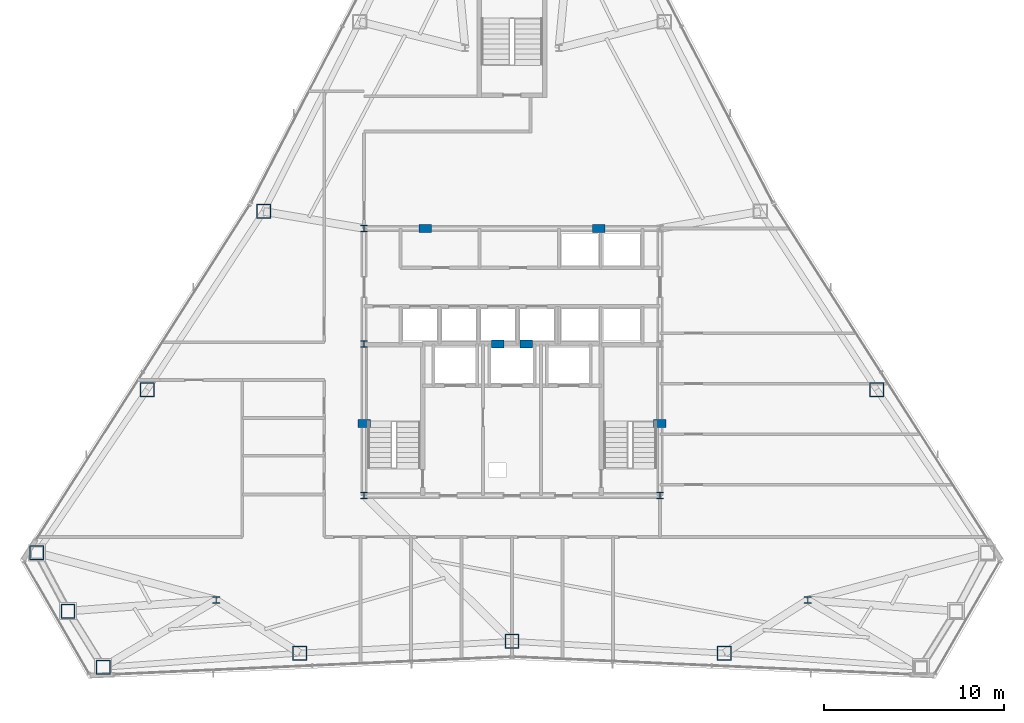
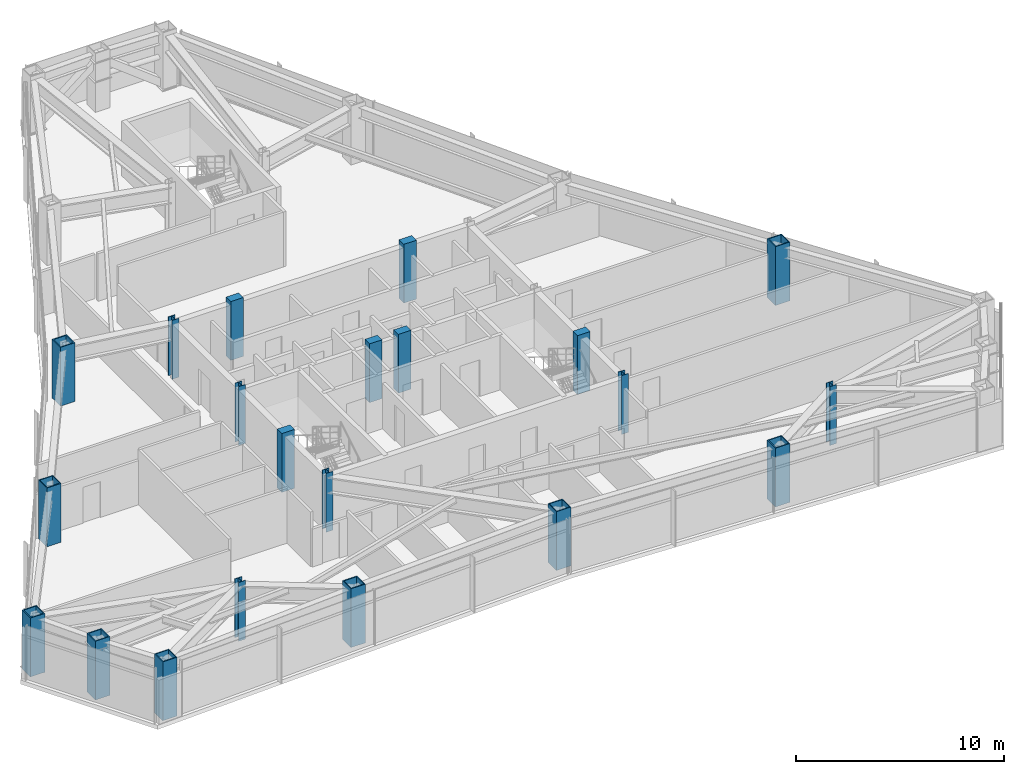
# One storey, part 1 of 13: 21 columns.
"""IFC4 building model written with IfcOpenShell, lengths in metres."""

from ifc_helpers import new_model, si_unit, direction, frame, origin, origin_2d, place, context, subcontext, project, spatial, rectangle, hollow_rectangle, i_section, extrude, material, material_profile, profile_set, type_object, element, save


model = new_model("IFC4")

# Units and contexts
model_context = context("Model", 3, precision=1e-05, world=origin(), true_north=direction((0.0, 1.0)))
body_context = subcontext(model_context, "Body", "Model", "MODEL_VIEW")
ifc_project = project(units=[si_unit("LENGTHUNIT", "METRE"), si_unit("AREAUNIT", "SQUARE_METRE"), si_unit("VOLUMEUNIT", "CUBIC_METRE"), si_unit("PLANEANGLEUNIT", "RADIAN"), si_unit("MASSUNIT", "GRAM", prefix="KILO")], contexts=[model_context])

# Site, building, storey
site_placement = place(None, origin())
site = spatial("IfcSite", under=ifc_project, at=site_placement, CompositionType="ELEMENT")
building_placement = place(site_placement, origin())
building = spatial("IfcBuilding", under=site, at=building_placement, Name="Varakhsha Concourse Tower", CompositionType="ELEMENT")
storey_placement = place(building_placement, frame((0.0, 0.0, 189.60009765625)))
storey = spatial("IfcBuildingStorey", under=building, at=storey_placement, Name="L54", CompositionType="ELEMENT", Elevation=189.60009765625)

# Columns
ifc_material_1 = material(Name="Structural Steel ASTM A992 Grade 50", Category="steel")
ifc_material_profile_1 = material_profile(ifc_material_1, i_section(OverallWidth=0.3740234375, OverallDepth=0.3720703125, WebThickness=0.01611328125, FlangeThickness=0.02587890625, at=origin_2d()), Name="W14X132")
ifc_profile_set_1 = profile_set([ifc_material_profile_1], Name="Structural Steel ASTM A992 Grade 50")
column_type_1 = type_object("IfcColumnType", Name="CL-CORE-W14X132", PredefinedType="COLUMN", material=ifc_profile_set_1)
for number, where, z_axis, x_axis, name in (
    (1, (31.800048828125, 16.39990234375, 0.0), (0.0, 0.0, 1.0), (1.0, 0.0, 0.0), "L54 Core Column CC-SW"),
    (2, (48.199951171875, 16.39990234375, 0.0), (0.0, 0.0, 1.0), (1.0, 0.0, 0.0), "L54 Core Column CC-SE"),
    (3, (31.800048828125, 24.800048828125, 0.0), (0.0, 0.0, 1.0), (1.0, 0.0, 0.0), "L54 Core Column CC-MW"),
    (4, (31.800048828125, 31.199951171875, 0.0), (0.0, 0.0, 1.0), (1.0, 0.0, 0.0), "L54 Core Column CC-NW"),
    (5, (23.60009765625, 10.60009765625, 0.0), (0.0, 0.0, 1.0), (1.0, 0.0, 0.0), "L54 Core Column SS-W"),
    (6, (56.39990234375, 10.60009765625, 0.0), (0.0, 0.0, 1.0), (1.0, 0.0, 0.0), "L54 Core Column SS-E"),
):
    element("IfcColumn", number, at=place(storey_placement, frame(where, z_axis=z_axis, x_axis=x_axis)), inside=storey, type_object=column_type_1, Name=name, PredefinedType="COLUMN", context=body_context, shape_type="SweptSolid", body=[
        extrude(i_section(OverallWidth=0.3740234375, OverallDepth=0.3720703125, WebThickness=0.01611328125, FlangeThickness=0.02587890625, at=origin_2d()), origin(), (0.0, 0.0, 1.0), 3.449951171875),
    ])
ifc_material_2 = material(Name="Concrete fc 65 MPa", Category="concrete")
ifc_material_profile_2 = material_profile(ifc_material_2, rectangle(XDim=0.699951171875, YDim=0.449951171875, at=origin_2d()), Name="RC 700x450")
ifc_profile_set_2 = profile_set([ifc_material_profile_2], Name="Concrete fc 65 MPa")
column_type_2 = type_object("IfcColumnType", Name="CL-PIL-700X450", PredefinedType="PILASTER", material=ifc_profile_set_2)
for number, where, z_axis, x_axis, name in (
    (7, (31.800048828125, 20.39990234375, 0.0), (0.0, 0.0, 1.0), (1.0, 0.0, 0.0), "L54 Core Boundary Pilaster PIL-W1"),
    (8, (48.199951171875, 20.39990234375, 0.0), (0.0, 0.0, 1.0), (1.0, 0.0, 0.0), "L54 Core Boundary Pilaster PIL-E1"),
    (9, (35.199951171875, 31.199951171875, 0.0), (0.0, 0.0, 1.0), (1.0, 0.0, 0.0), "L54 Core Boundary Pilaster PIL-N1"),
    (10, (44.800048828125, 31.199951171875, 0.0), (0.0, 0.0, 1.0), (1.0, 0.0, 0.0), "L54 Core Boundary Pilaster PIL-N2"),
    (11, (39.199951171875, 24.800048828125, 0.0), (0.0, 0.0, 1.0), (1.0, 0.0, 0.0), "L54 Core Boundary Pilaster PIL-M1"),
    (12, (40.800048828125, 24.800048828125, 0.0), (0.0, 0.0, 1.0), (1.0, 0.0, 0.0), "L54 Core Boundary Pilaster PIL-M2"),
):
    element("IfcColumn", number, at=place(storey_placement, frame(where, z_axis=z_axis, x_axis=x_axis)), inside=storey, type_object=column_type_2, Name=name, PredefinedType="PILASTER", context=body_context, shape_type="SweptSolid", body=[
        extrude(rectangle(XDim=0.699951171875, YDim=0.449951171875, at=origin_2d()), origin(), (0.0, 0.0, 1.0), 3.449951171875),
    ])
ifc_material_3 = material(Name="Structural Steel ASTM A572 Grade 50", Category="steel")
ifc_material_profile_3 = material_profile(ifc_material_3, hollow_rectangle(XDim=0.800048828125, YDim=0.800048828125, WallThickness=0.054931640625, at=origin_2d()), Name="BOX 800x800x55")
ifc_profile_set_3 = profile_set([ifc_material_profile_3], Name="Structural Steel ASTM A572 Grade 50")
column_type_3 = type_object("IfcColumnType", Name="CL-TUBE-800", PredefinedType="COLUMN", material=ifc_profile_set_3)
for number, where, z_axis, x_axis, name in (
    (13, (26.240966796875, 32.143798828125, 0.0), (0.0, 0.0, 1.0), (1.0, 0.0, 0.0), "L54 Framed-Tube Column TC05"),
    (14, (19.78759765625, 22.2724609375, 0.0), (0.0, 0.0, 1.0), (1.0, 0.0, 0.0), "L54 Framed-Tube Column TC06"),
    (15, (13.6611328125, 13.23095703125, 0.0), (0.0, 0.0, 1.0), (1.0, 0.0, 0.0), "L54 Framed-Tube Column TC07"),
    (16, (15.38916015625, 9.990966796875, 0.0), (0.0, 0.0, 1.0), (1.0, 0.0, 0.0), "L54 Framed-Tube Column TC08"),
    (17, (17.3310546875, 6.87451171875, 0.0), (0.0, 0.0, 1.0), (1.0, 0.0, 0.0), "L54 Framed-Tube Column TC09"),
    (18, (28.224609375, 7.659423828125, 0.0), (0.0, 0.0, 1.0), (1.0, 0.0, 0.0), "L54 Framed-Tube Column TC10"),
    (19, (40.0, 8.3125, 0.0), (0.0, 0.0, 1.0), (1.0, 0.0, 0.0), "L54 Framed-Tube Column TC11"),
    (20, (51.775390625, 7.659423828125, 0.0), (0.0, 0.0, 1.0), (1.0, 0.0, 0.0), "L54 Framed-Tube Column TC12"),
    (21, (60.21240234375, 22.2724609375, 0.0), (0.0, 0.0, 1.0), (1.0, 0.0, 0.0), "L54 Framed-Tube Column TC16"),
):
    element("IfcColumn", number, at=place(storey_placement, frame(where, z_axis=z_axis, x_axis=x_axis)), inside=storey, type_object=column_type_3, Name=name, PredefinedType="COLUMN", context=body_context, shape_type="SweptSolid", body=[
        extrude(hollow_rectangle(XDim=0.800048828125, YDim=0.800048828125, WallThickness=0.054931640625, at=origin_2d()), origin(), (0.0, 0.0, 1.0), 3.449951171875),
    ])

save(model, "model.ifc")
